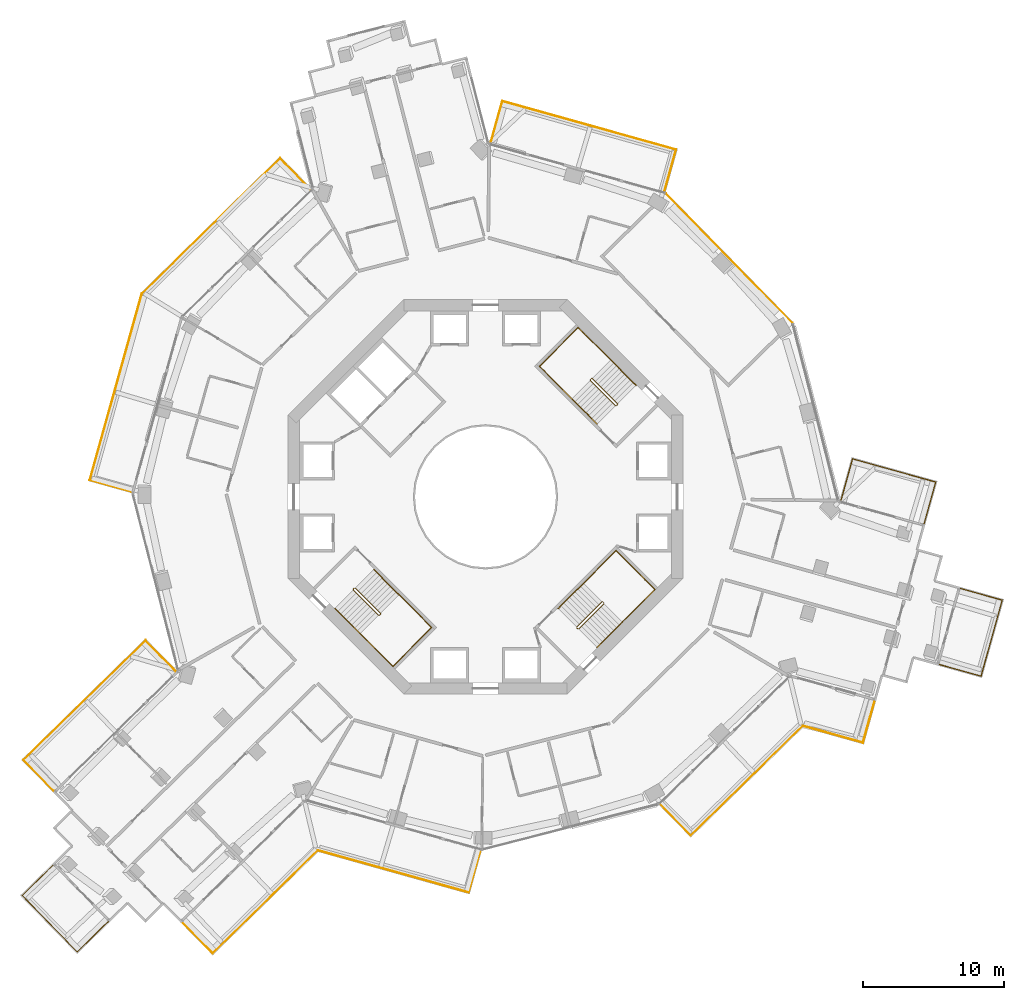
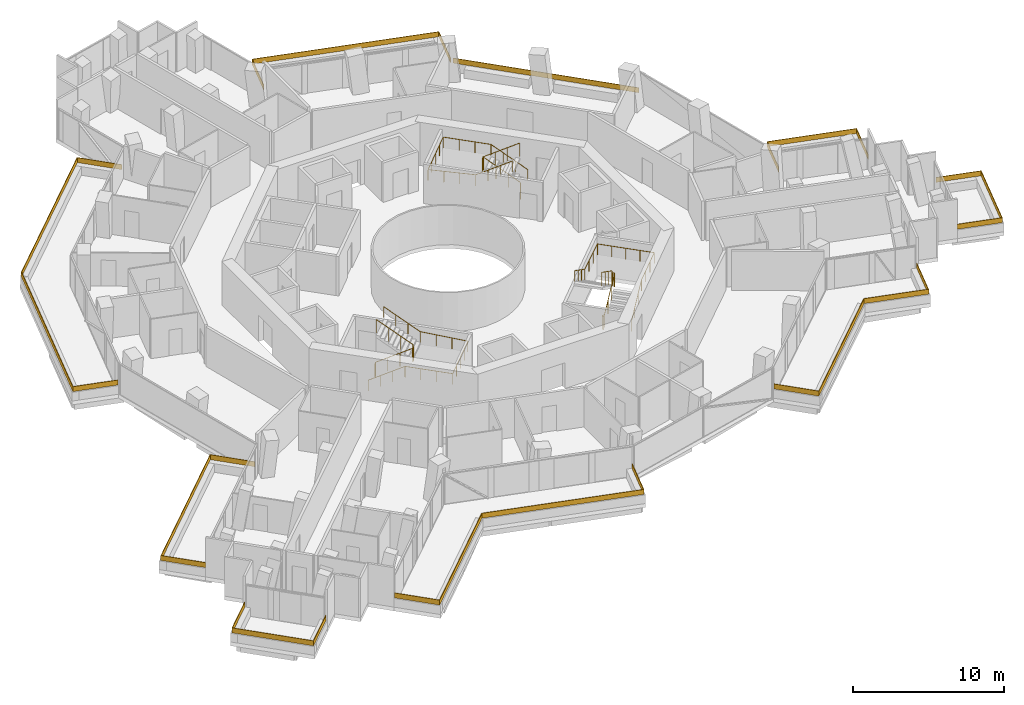
# One storey, part 26 of 26: 15 railings.
"""IFC4 building model written with IfcOpenShell, lengths in metres."""

from ifc_helpers import new_model, si_unit, direction, frame, origin, origin_2d, place, context, subcontext, project, spatial, polyline, rectangle, circle, outline, extrude, material, layer, layer_set, type_object, element, save


model = new_model("IFC4")

# Units and contexts
model_context = context("Model", 3, precision=1e-05, world=origin(), true_north=direction((0.0, 1.0)))
body_context = subcontext(model_context, "Body", "Model", "MODEL_VIEW")
ifc_project = project(units=[si_unit("LENGTHUNIT", "METRE"), si_unit("AREAUNIT", "SQUARE_METRE"), si_unit("VOLUMEUNIT", "CUBIC_METRE"), si_unit("PLANEANGLEUNIT", "RADIAN"), si_unit("MASSUNIT", "GRAM", prefix="KILO")], contexts=[model_context])

# Site, building, storey
site_placement = place(None, origin())
site = spatial("IfcSite", under=ifc_project, at=site_placement, CompositionType="ELEMENT")
building_placement = place(site_placement, origin())
building = spatial("IfcBuilding", under=site, at=building_placement, Name="Verdalira Terraces Hotel", CompositionType="ELEMENT")
storey_placement = place(building_placement, frame((0.0, 0.0, 93.0)))
storey = spatial("IfcBuildingStorey", under=building, at=storey_placement, Name="L21", CompositionType="ELEMENT", Elevation=93.0)

# Railings
ifc_material_1 = material(Name="Laminated glass", Category="glass")
ifc_layer = layer(ifc_material_1, 0.0400390625)
ifc_layer_set = layer_set([ifc_layer], Name="Balcony glass guard 400")
railing_type_1 = type_object("IfcRailingType", Name="Balcony glass guard 400", PredefinedType="GUARDRAIL", material=ifc_layer_set)
railing_1_placement = place(storey_placement, frame((0.0, 0.0, 0.699951)))
element("IfcRailing", 1, at=railing_1_placement, inside=storey, type_object=railing_type_1, Name="Balcony glass guard", PredefinedType="GUARDRAIL", context=body_context, shape_type="SweptSolid", body=[
    extrude(outline(polyline([(-14.569336, 23.996338), (-24.361328, 14.407227), (-28.046875, 1.206787), (-25.081299, 0.378906), (-25.092041, 0.340332), (-28.096191, 1.178955), (-24.396973, 14.428223), (-14.568604, 24.052979), (-12.386475, 21.824463), (-12.415039, 21.796387), (-14.569336, 23.996338)])), origin(), (0.0, 0.0, 1.0), 0.400146),
])
railing_2_placement = place(storey_placement, frame((0.0, 0.0, 0.699951)))
element("IfcRailing", 2, at=railing_2_placement, inside=storey, type_object=railing_type_1, Name="Balcony glass guard", PredefinedType="GUARDRAIL", context=body_context, shape_type="SweptSolid", body=[
    extrude(outline(polyline([(-24.120361, -10.211914), (-32.75415, -18.666748), (-30.599854, -20.866455), (-30.628418, -20.894531), (-32.810791, -18.666016), (-24.119873, -10.155518), (-21.9375, -12.383789), (-21.966064, -12.411865), (-24.120361, -10.211914)])), origin(), (0.0, 0.0, 1.0), 0.400146),
])
railing_3_placement = place(storey_placement, frame((0.0, 0.0, 0.699951)))
element("IfcRailing", 3, at=railing_3_placement, inside=storey, type_object=railing_type_1, Name="Balcony glass guard", PredefinedType="GUARDRAIL", context=body_context, shape_type="SweptSolid", body=[
    extrude(outline(polyline([(-32.854736, -28.282715), (-28.9646, -32.255371), (-26.764893, -30.101074), (-26.736816, -30.129639), (-28.965332, -32.311768), (-32.911377, -28.282227), (-30.682861, -26.100098), (-30.655029, -26.128662), (-32.854736, -28.282715)])), origin(), (0.0, 0.0, 1.0), 0.400146),
])
railing_4_placement = place(storey_placement, frame((0.0, 0.0, 0.699951)))
element("IfcRailing", 4, at=railing_4_placement, inside=storey, type_object=railing_type_1, Name="Balcony glass guard", PredefinedType="GUARDRAIL", context=body_context, shape_type="SweptSolid", body=[
    extrude(outline(polyline([(-19.348633, -32.355957), (-11.899658, -25.061523), (-1.206787, -28.046875), (-0.378906, -25.081299), (-0.340332, -25.092041), (-1.178955, -28.096191), (-11.888184, -25.106201), (-19.349121, -32.412598), (-21.531494, -30.184082), (-21.50293, -30.15625), (-19.348633, -32.355957)])), origin(), (0.0, 0.0, 1.0), 0.400146),
])
railing_5_placement = place(storey_placement, frame((0.0, 0.0, 0.699951)))
element("IfcRailing", 5, at=railing_5_placement, inside=storey, type_object=railing_type_1, Name="Balcony glass guard", PredefinedType="GUARDRAIL", context=body_context, shape_type="SweptSolid", body=[
    extrude(outline(polyline([(14.569336, -23.996338), (22.501221, -16.22876), (26.763916, -17.418945), (27.592041, -14.453369), (27.630371, -14.464111), (26.791748, -17.468262), (22.512695, -16.273682), (14.568604, -24.052979), (12.386475, -21.824463), (12.415039, -21.796387), (14.569336, -23.996338)])), origin(), (0.0, 0.0, 1.0), 0.400146),
])
railing_6_placement = place(storey_placement, frame((0.0, 0.0, 0.699951)))
element("IfcRailing", 6, at=railing_6_placement, inside=storey, type_object=railing_type_1, Name="Balcony glass guard", PredefinedType="GUARDRAIL", context=body_context, shape_type="SweptSolid", body=[
    extrude(outline(polyline([(35.14209, -12.698242), (36.637207, -7.343018), (33.671631, -6.514893), (33.682373, -6.476562), (36.686523, -7.315186), (35.169922, -12.747559), (32.165771, -11.908691), (32.176514, -11.870117), (35.14209, -12.698242)])), origin(), (0.0, 0.0, 1.0), 0.400146),
])
railing_7_placement = place(storey_placement, frame((0.0, 0.0, 0.699951)))
element("IfcRailing", 7, at=railing_7_placement, inside=storey, type_object=railing_type_1, Name="Balcony glass guard", PredefinedType="GUARDRAIL", context=body_context, shape_type="SweptSolid", body=[
    extrude(outline(polyline([(31.916504, 1.035156), (26.056641, 2.671387), (25.228516, -0.294189), (25.189941, -0.283447), (26.028809, 2.720459), (31.96582, 1.062988), (31.126953, -1.941162), (31.088379, -1.93042), (31.916504, 1.035156)])), origin(), (0.0, 0.0, 1.0), 0.400146),
])
railing_8_placement = place(storey_placement, frame((0.0, 0.0, 0.699951)))
element("IfcRailing", 8, at=railing_8_placement, inside=storey, type_object=railing_type_1, Name="Balcony glass guard", PredefinedType="GUARDRAIL", context=body_context, shape_type="SweptSolid", body=[
    extrude(outline(polyline([(13.496826, 24.615479), (1.206787, 28.046875), (0.378906, 25.081299), (0.340332, 25.092041), (1.178955, 28.096191), (13.546143, 24.643311), (12.707275, 21.63916), (12.668701, 21.649902), (13.496826, 24.615479)])), origin(), (0.0, 0.0, 1.0), 0.400146),
])
railing_9_placement = place(storey_placement, frame((17.296143, 16.937744, 0.699951), z_axis=(0.0, 0.0, 1.0), x_axis=(-0.699663341, 0.71447268, 0.0)))
element("IfcRailing", 9, at=railing_9_placement, inside=storey, type_object=railing_type_1, Name="Loggia glass guard", PredefinedType="GUARDRAIL", context=body_context, shape_type="SweptSolid", body=[
    extrude(rectangle(XDim=12.840088, YDim=0.040039, at=origin_2d()), origin(), (0.0, 0.0, 1.0), 0.399902),
])
ifc_material_2 = material(Name="Stainless steel", Category="steel")
railing_type_2 = type_object("IfcRailingType", Name="Stair guard 1100", PredefinedType="GUARDRAIL", material=ifc_material_2)
railing_10_placement = place(storey_placement, frame((9.369141, 6.540771, 0.0)))
element("IfcRailing", 10, at=railing_10_placement, inside=storey, type_object=railing_type_2, Name="L21 ST1 stair guard 1", PredefinedType="GUARDRAIL", context=body_context, shape_type="SweptSolid", body=[
    extrude(circle(Radius=0.023926, at=origin_2d()), frame((0.0, 0.0, 1.076172), z_axis=(-0.707106781, -0.707106781, 0.0), x_axis=(0.707106781, -0.707106781, 0.0)), (0.0, 0.0, 1.0), 0.100098),
    extrude(circle(Radius=0.023926, at=origin_2d()), frame((-0.070801, -0.070801, 1.076172), z_axis=(0.300162975, 0.599290904, 0.742127078), x_axis=(-0.894118129, 0.447831187, 0.0)), (0.0, 0.0, 1.0), 0.23584),
    extrude(circle(Radius=0.023926, at=origin_2d()), frame((0.0, 0.070557, 1.250977), z_axis=(-0.599637504, 0.599637504, 0.52997144), x_axis=(-0.707106781, -0.707106781, 0.0)), (0.0, 0.0, 1.0), 2.97168),
    extrude(circle(Radius=0.023926, at=origin_2d()), frame((-1.781982, 1.852539, 2.826172), z_axis=(-1.0, 0.0, 0.0), x_axis=(0.0, -1.0, 0.0)), (0.0, 0.0, 1.0), 0.070557),
    extrude(circle(Radius=0.023926, at=origin_2d()), frame((-1.852539, 1.852539, 2.826172), z_axis=(-0.70832698, -0.705884473, 0.0), x_axis=(0.705884473, -0.70832698, 0.0)), (0.0, 0.0, 1.0), 0.099854),
    extrude(circle(Radius=0.023926, at=origin_2d()), frame((-1.92334, 1.781982, 2.826172), z_axis=(0.0, -0.374954687, 0.92704314), x_axis=(1.0, 0.0, 0.0)), (0.0, 0.0, 1.0), 0.188721),
    extrude(circle(Radius=0.023926, at=origin_2d()), frame((-1.92334, 1.711182, 3.000977), z_axis=(0.599637504, -0.599637504, 0.52997144), x_axis=(0.707106781, 0.707106781, 0.0)), (0.0, 0.0, 1.0), 2.97168),
    extrude(circle(Radius=0.020996, at=origin_2d()), origin(), (0.0, 0.0, 1.0), 1.052002),
    extrude(circle(Radius=0.020996, at=origin_2d()), frame((-0.070801, -0.070801, 0.0)), (0.0, 0.0, 1.0), 1.052002),
    extrude(circle(Radius=0.020996, at=origin_2d()), frame((0.0, 0.070557, 0.175049)), (0.0, 0.0, 1.0), 1.052002),
    extrude(circle(Radius=0.020996, at=origin_2d()), frame((-0.593994, 0.664551, 0.699951)), (0.0, 0.0, 1.0), 1.052002),
    extrude(circle(Radius=0.020996, at=origin_2d()), frame((-1.187988, 1.258545, 1.225098)), (0.0, 0.0, 1.0), 1.052002),
    extrude(circle(Radius=0.020996, at=origin_2d()), frame((-1.781982, 1.852539, 1.75)), (0.0, 0.0, 1.0), 1.052002),
    extrude(circle(Radius=0.020996, at=origin_2d()), frame((-1.852539, 1.852539, 1.75)), (0.0, 0.0, 1.0), 1.052002),
    extrude(circle(Radius=0.020996, at=origin_2d()), frame((-1.92334, 1.781982, 1.75)), (0.0, 0.0, 1.0), 1.052002),
    extrude(circle(Radius=0.020996, at=origin_2d()), frame((-1.92334, 1.711182, 1.925049)), (0.0, 0.0, 1.0), 1.052002),
    extrude(circle(Radius=0.020996, at=origin_2d()), frame((-1.329346, 1.117188, 2.449951)), (0.0, 0.0, 1.0), 1.052002),
    extrude(circle(Radius=0.020996, at=origin_2d()), frame((-0.735352, 0.523193, 2.975098)), (0.0, 0.0, 1.0), 1.052002),
    extrude(circle(Radius=0.020996, at=origin_2d()), frame((-0.141357, -0.070801, 3.5)), (0.0, 0.0, 1.0), 1.052002),
])
railing_11_placement = place(storey_placement, frame((-9.369141, -6.540771, 0.0)))
element("IfcRailing", 11, at=railing_11_placement, inside=storey, type_object=railing_type_2, Name="L21 ST2 stair guard 1", PredefinedType="GUARDRAIL", context=body_context, shape_type="SweptSolid", body=[
    extrude(circle(Radius=0.023926, at=origin_2d()), frame((0.0, 0.0, 1.076172), z_axis=(0.707106781, 0.707106781, 0.0), x_axis=(-0.707106781, 0.707106781, 0.0)), (0.0, 0.0, 1.0), 0.100098),
    extrude(circle(Radius=0.023926, at=origin_2d()), frame((0.070801, 0.070801, 1.076172), z_axis=(-0.300162975, -0.599290904, 0.742127078), x_axis=(0.894118129, -0.447831187, 0.0)), (0.0, 0.0, 1.0), 0.23584),
    extrude(circle(Radius=0.023926, at=origin_2d()), frame((0.0, -0.070557, 1.250977), z_axis=(0.599637504, -0.599637504, 0.52997144), x_axis=(0.707106781, 0.707106781, 0.0)), (0.0, 0.0, 1.0), 2.97168),
    extrude(circle(Radius=0.023926, at=origin_2d()), frame((1.781982, -1.852539, 2.826172), z_axis=(1.0, 0.0, 0.0), x_axis=(0.0, 1.0, 0.0)), (0.0, 0.0, 1.0), 0.070557),
    extrude(circle(Radius=0.023926, at=origin_2d()), frame((1.852539, -1.852539, 2.826172), z_axis=(0.70832698, 0.705884473, 0.0), x_axis=(-0.705884473, 0.70832698, 0.0)), (0.0, 0.0, 1.0), 0.099854),
    extrude(circle(Radius=0.023926, at=origin_2d()), frame((1.92334, -1.781982, 2.826172), z_axis=(0.0, 0.374954687, 0.92704314), x_axis=(-1.0, 0.0, 0.0)), (0.0, 0.0, 1.0), 0.188721),
    extrude(circle(Radius=0.023926, at=origin_2d()), frame((1.92334, -1.711182, 3.000977), z_axis=(-0.599637504, 0.599637504, 0.52997144), x_axis=(-0.707106781, -0.707106781, 0.0)), (0.0, 0.0, 1.0), 2.97168),
    extrude(circle(Radius=0.020996, at=origin_2d()), origin(), (0.0, 0.0, 1.0), 1.052002),
    extrude(circle(Radius=0.020996, at=origin_2d()), frame((0.070801, 0.070801, 0.0)), (0.0, 0.0, 1.0), 1.052002),
    extrude(circle(Radius=0.020996, at=origin_2d()), frame((0.0, -0.070557, 0.175049)), (0.0, 0.0, 1.0), 1.052002),
    extrude(circle(Radius=0.020996, at=origin_2d()), frame((0.593994, -0.664551, 0.699951)), (0.0, 0.0, 1.0), 1.052002),
    extrude(circle(Radius=0.020996, at=origin_2d()), frame((1.187988, -1.258545, 1.225098)), (0.0, 0.0, 1.0), 1.052002),
    extrude(circle(Radius=0.020996, at=origin_2d()), frame((1.781982, -1.852539, 1.75)), (0.0, 0.0, 1.0), 1.052002),
    extrude(circle(Radius=0.020996, at=origin_2d()), frame((1.852539, -1.852539, 1.75)), (0.0, 0.0, 1.0), 1.052002),
    extrude(circle(Radius=0.020996, at=origin_2d()), frame((1.92334, -1.781982, 1.75)), (0.0, 0.0, 1.0), 1.052002),
    extrude(circle(Radius=0.020996, at=origin_2d()), frame((1.92334, -1.711182, 1.925049)), (0.0, 0.0, 1.0), 1.052002),
    extrude(circle(Radius=0.020996, at=origin_2d()), frame((1.329346, -1.117188, 2.449951)), (0.0, 0.0, 1.0), 1.052002),
    extrude(circle(Radius=0.020996, at=origin_2d()), frame((0.735352, -0.523193, 2.975098)), (0.0, 0.0, 1.0), 1.052002),
    extrude(circle(Radius=0.020996, at=origin_2d()), frame((0.141357, 0.070801, 3.5)), (0.0, 0.0, 1.0), 1.052002),
])
railing_12_placement = place(storey_placement, frame((6.540771, -9.369141, 0.0)))
element("IfcRailing", 12, at=railing_12_placement, inside=storey, type_object=railing_type_2, Name="L21 ST3 stair guard 1", PredefinedType="GUARDRAIL", context=body_context, shape_type="SweptSolid", body=[
    extrude(circle(Radius=0.023926, at=origin_2d()), frame((0.0, 0.0, 1.076172), z_axis=(-0.707106781, 0.707106781, 0.0), x_axis=(-0.707106781, -0.707106781, 0.0)), (0.0, 0.0, 1.0), 0.100098),
    extrude(circle(Radius=0.023926, at=origin_2d()), frame((-0.070801, 0.070801, 1.076172), z_axis=(0.599290904, -0.300162975, 0.742127078), x_axis=(0.447831187, 0.894118129, 0.0)), (0.0, 0.0, 1.0), 0.23584),
    extrude(circle(Radius=0.023926, at=origin_2d()), frame((0.070557, 0.0, 1.250977), z_axis=(0.599637504, 0.599637504, 0.52997144), x_axis=(-0.707106781, 0.707106781, 0.0)), (0.0, 0.0, 1.0), 2.97168),
    extrude(circle(Radius=0.023926, at=origin_2d()), frame((1.852539, 1.781982, 2.826172), z_axis=(0.0, 1.0, 0.0), x_axis=(-1.0, 0.0, 0.0)), (0.0, 0.0, 1.0), 0.070557),
    extrude(circle(Radius=0.023926, at=origin_2d()), frame((1.852539, 1.852539, 2.826172), z_axis=(-0.705884473, 0.70832698, 0.0), x_axis=(-0.70832698, -0.705884473, 0.0)), (0.0, 0.0, 1.0), 0.099854),
    extrude(circle(Radius=0.023926, at=origin_2d()), frame((1.781982, 1.92334, 2.826172), z_axis=(-0.374954687, 0.0, 0.92704314), x_axis=(0.0, -1.0, 0.0)), (0.0, 0.0, 1.0), 0.188721),
    extrude(circle(Radius=0.023926, at=origin_2d()), frame((1.711182, 1.92334, 3.000977), z_axis=(-0.599637504, -0.599637504, 0.52997144), x_axis=(0.707106781, -0.707106781, 0.0)), (0.0, 0.0, 1.0), 2.97168),
    extrude(circle(Radius=0.020996, at=origin_2d()), origin(), (0.0, 0.0, 1.0), 1.052002),
    extrude(circle(Radius=0.020996, at=origin_2d()), frame((-0.070801, 0.070801, 0.0)), (0.0, 0.0, 1.0), 1.052002),
    extrude(circle(Radius=0.020996, at=origin_2d()), frame((0.070557, 0.0, 0.175049)), (0.0, 0.0, 1.0), 1.052002),
    extrude(circle(Radius=0.020996, at=origin_2d()), frame((0.664551, 0.593994, 0.699951)), (0.0, 0.0, 1.0), 1.052002),
    extrude(circle(Radius=0.020996, at=origin_2d()), frame((1.258545, 1.187988, 1.225098)), (0.0, 0.0, 1.0), 1.052002),
    extrude(circle(Radius=0.020996, at=origin_2d()), frame((1.852539, 1.781982, 1.75)), (0.0, 0.0, 1.0), 1.052002),
    extrude(circle(Radius=0.020996, at=origin_2d()), frame((1.852539, 1.852539, 1.75)), (0.0, 0.0, 1.0), 1.052002),
    extrude(circle(Radius=0.020996, at=origin_2d()), frame((1.781982, 1.92334, 1.75)), (0.0, 0.0, 1.0), 1.052002),
    extrude(circle(Radius=0.020996, at=origin_2d()), frame((1.711182, 1.92334, 1.925049)), (0.0, 0.0, 1.0), 1.052002),
    extrude(circle(Radius=0.020996, at=origin_2d()), frame((1.117188, 1.329346, 2.449951)), (0.0, 0.0, 1.0), 1.052002),
    extrude(circle(Radius=0.020996, at=origin_2d()), frame((0.523193, 0.735352, 2.975098)), (0.0, 0.0, 1.0), 1.052002),
    extrude(circle(Radius=0.020996, at=origin_2d()), frame((-0.070801, 0.141357, 3.5)), (0.0, 0.0, 1.0), 1.052002),
])
ifc_material_3 = material(Name="Stainless steel", Category="steel")
railing_type_3 = type_object("IfcRailingType", Name="Stair handrail 900", PredefinedType="HANDRAIL", material=ifc_material_3)
railing_13_placement = place(storey_placement, frame((10.677246, 7.919678, 0.175049)))
element("IfcRailing", 13, at=railing_13_placement, inside=storey, type_object=railing_type_3, Name="L21 ST1 stair handrail 1", PredefinedType="HANDRAIL", context=body_context, shape_type="SweptSolid", body=[
    extrude(circle(Radius=0.023926, at=origin_2d()), frame((0.0, 0.0, 0.875977), z_axis=(-0.599614426, 0.599614426, 0.530023659), x_axis=(-0.707106781, -0.707106781, 0.0)), (0.0, 0.0, 1.0), 2.971436),
    extrude(circle(Radius=0.023926, at=origin_2d()), frame((-1.781738, 1.781738, 2.450684), z_axis=(-0.707106781, 0.707106781, 0.0), x_axis=(-0.707106781, -0.707106781, 0.0)), (0.0, 0.0, 1.0), 3.280029),
    extrude(circle(Radius=0.023926, at=origin_2d()), frame((-4.101074, 4.101074, 2.450684), z_axis=(-0.707138081, -0.70707548, 0.0), x_axis=(0.70707548, -0.707138081, 0.0)), (0.0, 0.0, 1.0), 3.899902),
    extrude(circle(Radius=0.023926, at=origin_2d()), frame((-6.858887, 1.343506, 2.450684), z_axis=(0.706101958, -0.706101958, 0.053292116), x_axis=(0.707106781, 0.707106781, 0.0)), (0.0, 0.0, 1.0), 3.284668),
    extrude(circle(Radius=0.023926, at=origin_2d()), frame((-4.539551, -0.97583, 2.625977), z_axis=(0.599637504, -0.599637504, 0.52997144), x_axis=(0.707106781, 0.707106781, 0.0)), (0.0, 0.0, 1.0), 2.97168),
    extrude(circle(Radius=0.020996, at=origin_2d()), origin(), (0.0, 0.0, 1.0), 0.851807),
    extrude(circle(Radius=0.020996, at=origin_2d()), frame((-0.593994, 0.593994, 0.524902)), (0.0, 0.0, 1.0), 0.851807),
    extrude(circle(Radius=0.020996, at=origin_2d()), frame((-1.187744, 1.187744, 1.050049)), (0.0, 0.0, 1.0), 0.851807),
    extrude(circle(Radius=0.020996, at=origin_2d()), frame((-1.781738, 1.781738, 1.574951)), (0.0, 0.0, 1.0), 0.851807),
    extrude(circle(Radius=0.020996, at=origin_2d()), frame((-2.554932, 2.554932, 1.574951)), (0.0, 0.0, 1.0), 0.851807),
    extrude(circle(Radius=0.020996, at=origin_2d()), frame((-3.327881, 3.327881, 1.574951)), (0.0, 0.0, 1.0), 0.851807),
    extrude(circle(Radius=0.020996, at=origin_2d()), frame((-4.101074, 4.101074, 1.574951)), (0.0, 0.0, 1.0), 0.851807),
    extrude(circle(Radius=0.020996, at=origin_2d()), frame((-4.790527, 3.411621, 1.574951)), (0.0, 0.0, 1.0), 0.851807),
    extrude(circle(Radius=0.020996, at=origin_2d()), frame((-5.47998, 2.722168, 1.574951)), (0.0, 0.0, 1.0), 0.851807),
    extrude(circle(Radius=0.020996, at=origin_2d()), frame((-6.169434, 2.032959, 1.574951)), (0.0, 0.0, 1.0), 0.851807),
    extrude(circle(Radius=0.020996, at=origin_2d()), frame((-6.858887, 1.343506, 1.574951)), (0.0, 0.0, 1.0), 0.851807),
    extrude(circle(Radius=0.020996, at=origin_2d()), frame((-6.085693, 0.570312, 1.633301)), (0.0, 0.0, 1.0), 0.851807),
    extrude(circle(Radius=0.020996, at=origin_2d()), frame((-5.312744, -0.202637, 1.69165)), (0.0, 0.0, 1.0), 0.851807),
    extrude(circle(Radius=0.020996, at=origin_2d()), frame((-4.539551, -0.97583, 1.75)), (0.0, 0.0, 1.0), 0.851807),
    extrude(circle(Radius=0.020996, at=origin_2d()), frame((-3.945557, -1.569824, 2.274902)), (0.0, 0.0, 1.0), 0.851807),
    extrude(circle(Radius=0.020996, at=origin_2d()), frame((-3.351562, -2.163818, 2.800049)), (0.0, 0.0, 1.0), 0.851807),
    extrude(circle(Radius=0.020996, at=origin_2d()), frame((-2.757568, -2.757812, 3.324951)), (0.0, 0.0, 1.0), 0.851807),
])
railing_14_placement = place(storey_placement, frame((-10.677246, -7.919678, 0.175049)))
element("IfcRailing", 14, at=railing_14_placement, inside=storey, type_object=railing_type_3, Name="L21 ST2 stair handrail 1", PredefinedType="HANDRAIL", context=body_context, shape_type="SweptSolid", body=[
    extrude(circle(Radius=0.023926, at=origin_2d()), frame((0.0, 0.0, 0.875977), z_axis=(0.599614426, -0.599614426, 0.530023659), x_axis=(0.707106781, 0.707106781, 0.0)), (0.0, 0.0, 1.0), 2.971436),
    extrude(circle(Radius=0.023926, at=origin_2d()), frame((1.781738, -1.781738, 2.450684), z_axis=(0.707106781, -0.707106781, 0.0), x_axis=(0.707106781, 0.707106781, 0.0)), (0.0, 0.0, 1.0), 3.280029),
    extrude(circle(Radius=0.023926, at=origin_2d()), frame((4.101074, -4.101074, 2.450684), z_axis=(0.707138081, 0.70707548, 0.0), x_axis=(-0.70707548, 0.707138081, 0.0)), (0.0, 0.0, 1.0), 3.899902),
    extrude(circle(Radius=0.023926, at=origin_2d()), frame((6.858887, -1.343506, 2.450684), z_axis=(-0.706101958, 0.706101958, 0.053292116), x_axis=(-0.707106781, -0.707106781, 0.0)), (0.0, 0.0, 1.0), 3.284668),
    extrude(circle(Radius=0.023926, at=origin_2d()), frame((4.539551, 0.97583, 2.625977), z_axis=(-0.599637504, 0.599637504, 0.52997144), x_axis=(-0.707106781, -0.707106781, 0.0)), (0.0, 0.0, 1.0), 2.97168),
    extrude(circle(Radius=0.020996, at=origin_2d()), origin(), (0.0, 0.0, 1.0), 0.851807),
    extrude(circle(Radius=0.020996, at=origin_2d()), frame((0.593994, -0.593994, 0.524902)), (0.0, 0.0, 1.0), 0.851807),
    extrude(circle(Radius=0.020996, at=origin_2d()), frame((1.187744, -1.187744, 1.050049)), (0.0, 0.0, 1.0), 0.851807),
    extrude(circle(Radius=0.020996, at=origin_2d()), frame((1.781738, -1.781738, 1.574951)), (0.0, 0.0, 1.0), 0.851807),
    extrude(circle(Radius=0.020996, at=origin_2d()), frame((2.554932, -2.554932, 1.574951)), (0.0, 0.0, 1.0), 0.851807),
    extrude(circle(Radius=0.020996, at=origin_2d()), frame((3.327881, -3.327881, 1.574951)), (0.0, 0.0, 1.0), 0.851807),
    extrude(circle(Radius=0.020996, at=origin_2d()), frame((4.101074, -4.101074, 1.574951)), (0.0, 0.0, 1.0), 0.851807),
    extrude(circle(Radius=0.020996, at=origin_2d()), frame((4.790527, -3.411621, 1.574951)), (0.0, 0.0, 1.0), 0.851807),
    extrude(circle(Radius=0.020996, at=origin_2d()), frame((5.47998, -2.722168, 1.574951)), (0.0, 0.0, 1.0), 0.851807),
    extrude(circle(Radius=0.020996, at=origin_2d()), frame((6.169434, -2.032959, 1.574951)), (0.0, 0.0, 1.0), 0.851807),
    extrude(circle(Radius=0.020996, at=origin_2d()), frame((6.858887, -1.343506, 1.574951)), (0.0, 0.0, 1.0), 0.851807),
    extrude(circle(Radius=0.020996, at=origin_2d()), frame((6.085693, -0.570312, 1.633301)), (0.0, 0.0, 1.0), 0.851807),
    extrude(circle(Radius=0.020996, at=origin_2d()), frame((5.312744, 0.202637, 1.69165)), (0.0, 0.0, 1.0), 0.851807),
    extrude(circle(Radius=0.020996, at=origin_2d()), frame((4.539551, 0.97583, 1.75)), (0.0, 0.0, 1.0), 0.851807),
    extrude(circle(Radius=0.020996, at=origin_2d()), frame((3.945557, 1.569824, 2.274902)), (0.0, 0.0, 1.0), 0.851807),
    extrude(circle(Radius=0.020996, at=origin_2d()), frame((3.351562, 2.163818, 2.800049)), (0.0, 0.0, 1.0), 0.851807),
    extrude(circle(Radius=0.020996, at=origin_2d()), frame((2.757568, 2.757812, 3.324951)), (0.0, 0.0, 1.0), 0.851807),
])
railing_15_placement = place(storey_placement, frame((7.919678, -10.677246, 0.175049)))
element("IfcRailing", 15, at=railing_15_placement, inside=storey, type_object=railing_type_3, Name="L21 ST3 stair handrail 1", PredefinedType="HANDRAIL", context=body_context, shape_type="SweptSolid", body=[
    extrude(circle(Radius=0.023926, at=origin_2d()), frame((0.0, 0.0, 0.875977), z_axis=(0.599614426, 0.599614426, 0.530023659), x_axis=(-0.707106781, 0.707106781, 0.0)), (0.0, 0.0, 1.0), 2.971436),
    extrude(circle(Radius=0.023926, at=origin_2d()), frame((1.781738, 1.781738, 2.450684), z_axis=(0.707106781, 0.707106781, 0.0), x_axis=(-0.707106781, 0.707106781, 0.0)), (0.0, 0.0, 1.0), 3.280029),
    extrude(circle(Radius=0.023926, at=origin_2d()), frame((4.101074, 4.101074, 2.450684), z_axis=(-0.70707548, 0.707138081, 0.0), x_axis=(-0.707138081, -0.70707548, 0.0)), (0.0, 0.0, 1.0), 3.899902),
    extrude(circle(Radius=0.023926, at=origin_2d()), frame((1.343506, 6.858887, 2.450684), z_axis=(-0.706101958, -0.706101958, 0.053292116), x_axis=(0.707106781, -0.707106781, 0.0)), (0.0, 0.0, 1.0), 3.284668),
    extrude(circle(Radius=0.023926, at=origin_2d()), frame((-0.97583, 4.539551, 2.625977), z_axis=(-0.599637504, -0.599637504, 0.52997144), x_axis=(0.707106781, -0.707106781, 0.0)), (0.0, 0.0, 1.0), 2.97168),
    extrude(circle(Radius=0.020996, at=origin_2d()), origin(), (0.0, 0.0, 1.0), 0.851807),
    extrude(circle(Radius=0.020996, at=origin_2d()), frame((0.593994, 0.593994, 0.524902)), (0.0, 0.0, 1.0), 0.851807),
    extrude(circle(Radius=0.020996, at=origin_2d()), frame((1.187744, 1.187744, 1.050049)), (0.0, 0.0, 1.0), 0.851807),
    extrude(circle(Radius=0.020996, at=origin_2d()), frame((1.781738, 1.781738, 1.574951)), (0.0, 0.0, 1.0), 0.851807),
    extrude(circle(Radius=0.020996, at=origin_2d()), frame((2.554932, 2.554932, 1.574951)), (0.0, 0.0, 1.0), 0.851807),
    extrude(circle(Radius=0.020996, at=origin_2d()), frame((3.327881, 3.327881, 1.574951)), (0.0, 0.0, 1.0), 0.851807),
    extrude(circle(Radius=0.020996, at=origin_2d()), frame((4.101074, 4.101074, 1.574951)), (0.0, 0.0, 1.0), 0.851807),
    extrude(circle(Radius=0.020996, at=origin_2d()), frame((3.411621, 4.790527, 1.574951)), (0.0, 0.0, 1.0), 0.851807),
    extrude(circle(Radius=0.020996, at=origin_2d()), frame((2.722168, 5.47998, 1.574951)), (0.0, 0.0, 1.0), 0.851807),
    extrude(circle(Radius=0.020996, at=origin_2d()), frame((2.032959, 6.169434, 1.574951)), (0.0, 0.0, 1.0), 0.851807),
    extrude(circle(Radius=0.020996, at=origin_2d()), frame((1.343506, 6.858887, 1.574951)), (0.0, 0.0, 1.0), 0.851807),
    extrude(circle(Radius=0.020996, at=origin_2d()), frame((0.570312, 6.085693, 1.633301)), (0.0, 0.0, 1.0), 0.851807),
    extrude(circle(Radius=0.020996, at=origin_2d()), frame((-0.202637, 5.312744, 1.69165)), (0.0, 0.0, 1.0), 0.851807),
    extrude(circle(Radius=0.020996, at=origin_2d()), frame((-0.97583, 4.539551, 1.75)), (0.0, 0.0, 1.0), 0.851807),
    extrude(circle(Radius=0.020996, at=origin_2d()), frame((-1.569824, 3.945557, 2.274902)), (0.0, 0.0, 1.0), 0.851807),
    extrude(circle(Radius=0.020996, at=origin_2d()), frame((-2.163818, 3.351562, 2.800049)), (0.0, 0.0, 1.0), 0.851807),
    extrude(circle(Radius=0.020996, at=origin_2d()), frame((-2.757812, 2.757568, 3.324951)), (0.0, 0.0, 1.0), 0.851807),
])

save(model, "model.ifc")
